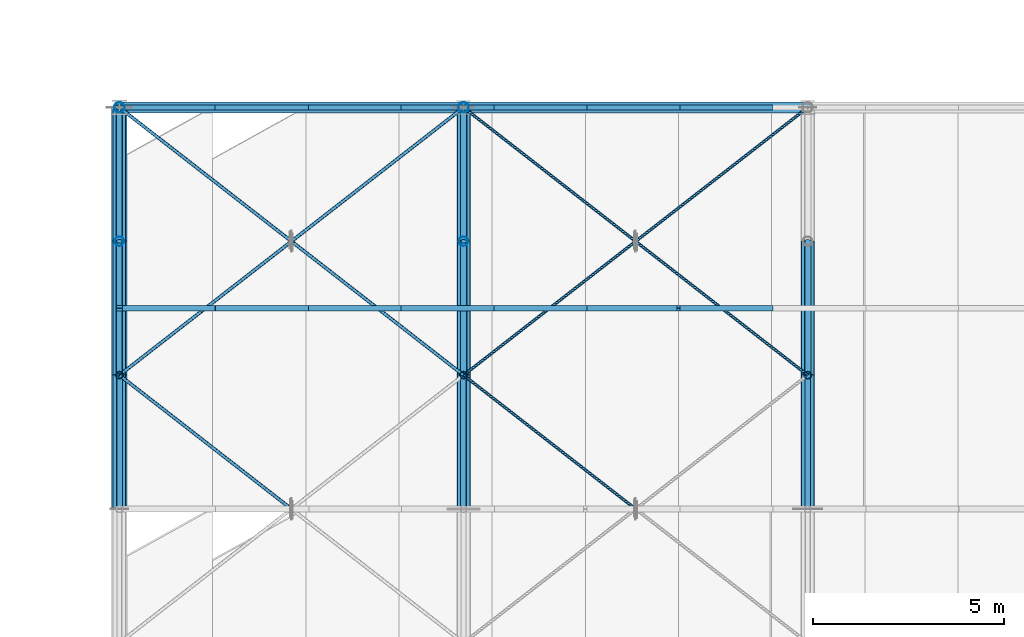
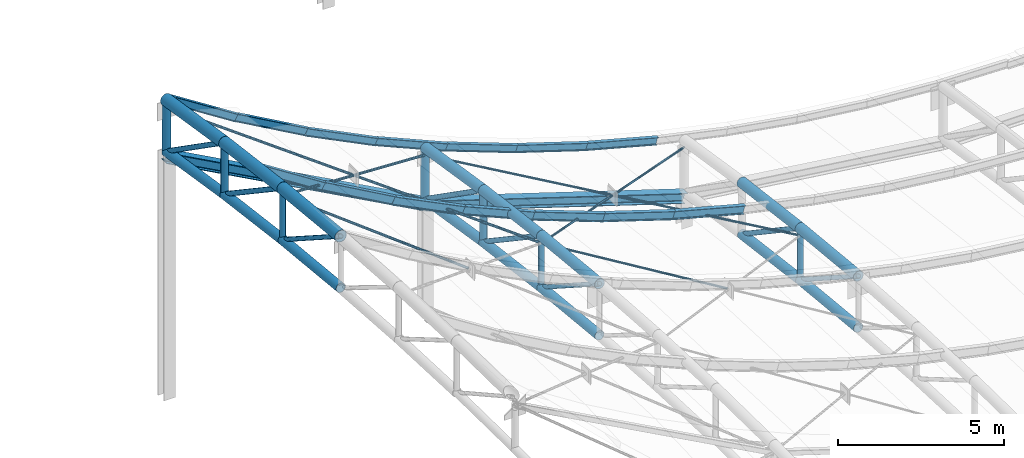
# One storey, part 38 of 262: 53 members, 2 beams.
"""IFC4 building model written with IfcOpenShell, lengths in metres."""

from ifc_helpers import new_model, si_unit, derived_unit, direction, frame, origin, origin_2d, place, context, subcontext, project, spatial, hollow_circle, i_section, extrude, material, material_profile, profile_set, type_object, element, save


model = new_model("IFC4")

# Units and contexts
model_context = context("Model", 3, precision=1e-05, world=origin(), true_north=direction((0.0, 1.0)))
body_context = subcontext(model_context, "Body", "Model", "MODEL_VIEW")
ifc_project = project(units=[si_unit("LENGTHUNIT", "METRE"), si_unit("AREAUNIT", "SQUARE_METRE"), si_unit("VOLUMEUNIT", "CUBIC_METRE"), si_unit("PLANEANGLEUNIT", "RADIAN"), si_unit("MASSUNIT", "GRAM", prefix="KILO"), derived_unit("THERMALTRANSMITTANCEUNIT", [(si_unit("POWERUNIT", "WATT"), 1), (si_unit("LENGTHUNIT", "METRE"), -2), (si_unit("THERMODYNAMICTEMPERATUREUNIT", "KELVIN"), -1)])], contexts=[model_context])

# Site, building, storey
site_placement = place(None, origin())
site = spatial("IfcSite", under=ifc_project, at=site_placement, CompositionType="ELEMENT")
building_placement = place(site_placement, origin())
building = spatial("IfcBuilding", under=site, at=building_placement, Name="Almenara Railside Exhibition Hall", CompositionType="ELEMENT")
storey_placement = place(building_placement, frame((0.0, 0.0, 21.699951171875)))
storey = spatial("IfcBuildingStorey", under=building, at=storey_placement, Name="RF", CompositionType="ELEMENT", Elevation=21.699951171875)

# Members
ifc_material = material(Name="Structural steel S355JR", Category="steel")
ifc_material_profile_1 = material_profile(ifc_material, hollow_circle(Radius=0.04443359375, WallThickness=0.00390625, at=origin_2d()), Name="CHS 88.9x4")
ifc_profile_set_1 = profile_set([ifc_material_profile_1], Name="Structural steel S355JR")
member_type_1 = type_object("IfcMemberType", Name="Canopy Tie Brace CHS 88.9x4 S355JR", PredefinedType="BRACE", material=ifc_profile_set_1)
member_1_placement = place(storey_placement, frame((3.0, 35.0, 1.6201171875), z_axis=(0.738580382597, -0.574464872917, -0.3528301691), x_axis=(0.613949579345, 0.789345243871, 0.0)))
element("IfcMember", 1, at=member_1_placement, inside=storey, type_object=member_type_1, Name="MEM-WB-V4-WB-CHS89-00-08-S1", PredefinedType="BRACE", context=body_context, shape_type="SweptSolid", body=[
    extrude(hollow_circle(Radius=0.04443359375, WallThickness=0.00390625, at=origin_2d()), origin(), (0.0, 0.0, 1.0), 6.044189453125),
])
member_2_placement = place(storey_placement, frame((3.0, 35.0, 1.6201171875), z_axis=(0.70107363428, 0.545279493329, -0.459528055152), x_axis=(-0.613940613515, 0.789352217376, 0.0)))
element("IfcMember", 2, at=member_2_placement, inside=storey, type_object=member_type_1, Name="MEM-WB-V4-WB-CHS89-00-10-C", PredefinedType="BRACE", context=body_context, shape_type="SweptSolid", body=[
    extrude(hollow_circle(Radius=0.04443359375, WallThickness=0.00390625, at=origin_2d()), origin(), (0.0, 0.0, 1.0), 12.83740234375),
])
member_3_placement = place(storey_placement, frame((3.0, 42.0, 0.6201171875), z_axis=(0.746877240759, -0.580909059332, -0.323603232405), x_axis=(0.613943602315, 0.789349892745, 0.0)))
element("IfcMember", 3, at=member_3_placement, inside=storey, type_object=member_type_1, Name="MEM-WB-V4-WB-CHS89-00-10-S1", PredefinedType="BRACE", context=body_context, shape_type="SweptSolid", body=[
    extrude(hollow_circle(Radius=0.04443359375, WallThickness=0.00390625, at=origin_2d()), origin(), (0.0, 0.0, 1.0), 5.976806640625),
])
member_4_placement = place(storey_placement, frame((7.5361328125, 38.471923828125, -1.34521484375), z_axis=(0.746887113125, -0.5809167379, -0.323566660636), x_axis=(0.613943602315, 0.789349892745, 0.0)))
element("IfcMember", 4, at=member_4_placement, inside=storey, type_object=member_type_1, Name="MEM-WB-V4-WB-CHS89-00-10-S2", PredefinedType="BRACE", context=body_context, shape_type="SweptSolid", body=[
    extrude(hollow_circle(Radius=0.04443359375, WallThickness=0.00390625, at=origin_2d()), origin(), (0.0, 0.0, 1.0), 5.9765625),
])
ifc_material_profile_2 = material_profile(ifc_material, i_section(OverallWidth=0.14990234375, OverallDepth=0.300048828125, WebThickness=0.007080078125, FlangeThickness=0.0107421875, FilletRadius=0.014892578125, at=origin_2d()), Name="IPE 300")
ifc_profile_set_2 = profile_set([ifc_material_profile_2], Name="Structural steel S355JR")
member_type_2 = type_object("IfcMemberType", Name="East Hall Ridge Purlin IPE 300 S355JR", PredefinedType="PURLIN", material=ifc_profile_set_2)
member_5_placement = place(storey_placement, frame((3.0, 36.75, 1.61181640625), z_axis=(0.842226955435, 0.0, -0.539123135785), x_axis=(0.0, 1.0, 0.0)))
element("IfcMember", 5, at=member_5_placement, inside=storey, type_object=member_type_2, Name="MEM-PR-V4-PR-IPE300-07-00", PredefinedType="PURLIN", context=body_context, shape_type="SweptSolid", body=[
    extrude(i_section(OverallWidth=0.14990234375, OverallDepth=0.300048828125, WebThickness=0.007080078125, FlangeThickness=0.0107421875, FilletRadius=0.014892578125, at=origin_2d()), origin(), (0.0, 0.0, 1.0), 2.893310546875),
])
member_6_placement = place(storey_placement, frame((5.436767578125, 36.75, 0.06494140625), z_axis=(0.870445855666, 0.0, -0.492264169277), x_axis=(0.0, 1.0, 0.0)))
element("IfcMember", 6, at=member_6_placement, inside=storey, type_object=member_type_2, Name="MEM-PR-V4-PR-IPE300-07-01", PredefinedType="PURLIN", context=body_context, shape_type="SweptSolid", body=[
    extrude(i_section(OverallWidth=0.14990234375, OverallDepth=0.300048828125, WebThickness=0.007080078125, FlangeThickness=0.0107421875, FilletRadius=0.014892578125, at=origin_2d()), origin(), (0.0, 0.0, 1.0), 2.799072265625),
])
member_7_placement = place(storey_placement, frame((7.873291015625, 36.75, -1.3193359375), z_axis=(0.895376074457, 0.0, -0.445310773831), x_axis=(0.0, 1.0, 0.0)))
element("IfcMember", 7, at=member_7_placement, inside=storey, type_object=member_type_2, Name="MEM-PR-V4-PR-IPE300-07-02", PredefinedType="PURLIN", context=body_context, shape_type="SweptSolid", body=[
    extrude(i_section(OverallWidth=0.14990234375, OverallDepth=0.300048828125, WebThickness=0.007080078125, FlangeThickness=0.0107421875, FilletRadius=0.014892578125, at=origin_2d()), origin(), (0.0, 0.0, 1.0), 2.721435546875),
])
member_8_placement = place(storey_placement, frame((10.31005859375, 36.75, -2.52197265625), z_axis=(0.917189812532, 0.0, -0.398450558775), x_axis=(0.0, 1.0, 0.0)))
element("IfcMember", 8, at=member_8_placement, inside=storey, type_object=member_type_2, Name="MEM-PR-V4-PR-IPE300-07-03", PredefinedType="PURLIN", context=body_context, shape_type="SweptSolid", body=[
    extrude(i_section(OverallWidth=0.14990234375, OverallDepth=0.300048828125, WebThickness=0.007080078125, FlangeThickness=0.0107421875, FilletRadius=0.014892578125, at=origin_2d()), origin(), (0.0, 0.0, 1.0), 2.65673828125),
])
member_9_placement = place(storey_placement, frame((12.746826171875, 36.75, -3.57275390625), z_axis=(0.936171044044, 0.0, -0.351544842508), x_axis=(0.0, 1.0, 0.0)))
element("IfcMember", 9, at=member_9_placement, inside=storey, type_object=member_type_2, Name="MEM-PR-V4-PR-IPE300-07-04", PredefinedType="PURLIN", context=body_context, shape_type="SweptSolid", body=[
    extrude(i_section(OverallWidth=0.14990234375, OverallDepth=0.300048828125, WebThickness=0.007080078125, FlangeThickness=0.0107421875, FilletRadius=0.014892578125, at=origin_2d()), origin(), (0.0, 0.0, 1.0), 2.60302734375),
])
member_10_placement = place(storey_placement, frame((15.18359375, 36.75, -4.4814453125), z_axis=(0.952440767254, 0.0, -0.304723784553), x_axis=(0.0, 1.0, 0.0)))
element("IfcMember", 10, at=member_10_placement, inside=storey, type_object=member_type_2, Name="MEM-PR-V4-PR-IPE300-07-05", PredefinedType="PURLIN", context=body_context, shape_type="SweptSolid", body=[
    extrude(i_section(OverallWidth=0.14990234375, OverallDepth=0.300048828125, WebThickness=0.007080078125, FlangeThickness=0.0107421875, FilletRadius=0.014892578125, at=origin_2d()), origin(), (0.0, 0.0, 1.0), 2.55810546875),
])
member_11_placement = place(storey_placement, frame((17.6201171875, 36.75, -5.255859375), z_axis=(0.966201190487, 0.0, -0.257789176462), x_axis=(0.0, 1.0, 0.0)))
element("IfcMember", 11, at=member_11_placement, inside=storey, type_object=member_type_2, Name="MEM-PR-V4-PR-IPE300-07-06", PredefinedType="PURLIN", context=body_context, shape_type="SweptSolid", body=[
    extrude(i_section(OverallWidth=0.14990234375, OverallDepth=0.300048828125, WebThickness=0.007080078125, FlangeThickness=0.0107421875, FilletRadius=0.014892578125, at=origin_2d()), origin(), (0.0, 0.0, 1.0), 2.52197265625),
])
ifc_material_profile_3 = material_profile(ifc_material, i_section(OverallWidth=0.135009765625, OverallDepth=0.27001953125, WebThickness=0.006591796875, FlangeThickness=0.01025390625, FilletRadius=0.014892578125, at=origin_2d()), Name="IPE 270")
ifc_profile_set_3 = profile_set([ifc_material_profile_3], Name="Structural steel S355JR")
member_type_3 = type_object("IfcMemberType", Name="East Hall Standard Purlin IPE 270 S355JR", PredefinedType="PURLIN", material=ifc_profile_set_3)
member_12_placement = place(storey_placement, frame((3.0, 42.0, 0.951904296875), z_axis=(0.842226955435, 0.0, -0.539123135785), x_axis=(0.0, 1.0, 0.0)))
element("IfcMember", 12, at=member_12_placement, inside=storey, type_object=member_type_3, Name="MEM-PR-V4-PR-IPE270-08-00", PredefinedType="PURLIN", context=body_context, shape_type="SweptSolid", body=[
    extrude(i_section(OverallWidth=0.135009765625, OverallDepth=0.27001953125, WebThickness=0.006591796875, FlangeThickness=0.01025390625, FilletRadius=0.014892578125, at=origin_2d()), origin(), (0.0, 0.0, 1.0), 2.893310546875),
])
member_13_placement = place(storey_placement, frame((5.436767578125, 42.0, -0.595458984375), z_axis=(0.870445855666, 0.0, -0.492264169277), x_axis=(0.0, 1.0, 0.0)))
element("IfcMember", 13, at=member_13_placement, inside=storey, type_object=member_type_3, Name="MEM-PR-V4-PR-IPE270-08-01", PredefinedType="PURLIN", context=body_context, shape_type="SweptSolid", body=[
    extrude(i_section(OverallWidth=0.135009765625, OverallDepth=0.27001953125, WebThickness=0.006591796875, FlangeThickness=0.01025390625, FilletRadius=0.014892578125, at=origin_2d()), origin(), (0.0, 0.0, 1.0), 2.799072265625),
])
member_14_placement = place(storey_placement, frame((7.873291015625, 42.0, -1.980224609375), z_axis=(0.895376074457, 0.0, -0.445310773831), x_axis=(0.0, 1.0, 0.0)))
element("IfcMember", 14, at=member_14_placement, inside=storey, type_object=member_type_3, Name="MEM-PR-V4-PR-IPE270-08-02", PredefinedType="PURLIN", context=body_context, shape_type="SweptSolid", body=[
    extrude(i_section(OverallWidth=0.135009765625, OverallDepth=0.27001953125, WebThickness=0.006591796875, FlangeThickness=0.01025390625, FilletRadius=0.014892578125, at=origin_2d()), origin(), (0.0, 0.0, 1.0), 2.721435546875),
])
member_15_placement = place(storey_placement, frame((10.31005859375, 42.0, -3.183349609375), z_axis=(0.917189812532, 0.0, -0.398450558775), x_axis=(0.0, 1.0, 0.0)))
element("IfcMember", 15, at=member_15_placement, inside=storey, type_object=member_type_3, Name="MEM-PR-V4-PR-IPE270-08-03", PredefinedType="PURLIN", context=body_context, shape_type="SweptSolid", body=[
    extrude(i_section(OverallWidth=0.135009765625, OverallDepth=0.27001953125, WebThickness=0.006591796875, FlangeThickness=0.01025390625, FilletRadius=0.014892578125, at=origin_2d()), origin(), (0.0, 0.0, 1.0), 2.65673828125),
])
member_16_placement = place(storey_placement, frame((12.746826171875, 42.0, -4.234375), z_axis=(0.936171044044, 0.0, -0.351544842508), x_axis=(0.0, 1.0, 0.0)))
element("IfcMember", 16, at=member_16_placement, inside=storey, type_object=member_type_3, Name="MEM-PR-V4-PR-IPE270-08-04", PredefinedType="PURLIN", context=body_context, shape_type="SweptSolid", body=[
    extrude(i_section(OverallWidth=0.135009765625, OverallDepth=0.27001953125, WebThickness=0.006591796875, FlangeThickness=0.01025390625, FilletRadius=0.014892578125, at=origin_2d()), origin(), (0.0, 0.0, 1.0), 2.60302734375),
])
member_17_placement = place(storey_placement, frame((15.18359375, 42.0, -5.1435546875), z_axis=(0.952468462339, 0.0, -0.304637207594), x_axis=(0.0, 1.0, 0.0)))
element("IfcMember", 17, at=member_17_placement, inside=storey, type_object=member_type_3, Name="MEM-PR-V4-PR-IPE270-08-05", PredefinedType="PURLIN", context=body_context, shape_type="SweptSolid", body=[
    extrude(i_section(OverallWidth=0.135009765625, OverallDepth=0.27001953125, WebThickness=0.006591796875, FlangeThickness=0.01025390625, FilletRadius=0.014892578125, at=origin_2d()), origin(), (0.0, 0.0, 1.0), 2.55810546875),
])
member_18_placement = place(storey_placement, frame((17.6201171875, 42.0, -5.91796875), z_axis=(0.966201190487, 0.0, -0.257789176462), x_axis=(0.0, 1.0, 0.0)))
element("IfcMember", 18, at=member_18_placement, inside=storey, type_object=member_type_3, Name="MEM-PR-V4-PR-IPE270-08-06", PredefinedType="PURLIN", context=body_context, shape_type="SweptSolid", body=[
    extrude(i_section(OverallWidth=0.135009765625, OverallDepth=0.27001953125, WebThickness=0.006591796875, FlangeThickness=0.01025390625, FilletRadius=0.014892578125, at=origin_2d()), origin(), (0.0, 0.0, 1.0), 2.52197265625),
])
ifc_material_profile_4 = material_profile(ifc_material, hollow_circle(Radius=0.0380859375, WallThickness=0.003662109375, at=origin_2d()), Name="CHS 76.1x3.6")
ifc_profile_set_4 = profile_set([ifc_material_profile_4], Name="Structural steel S355JR")
member_type_4 = type_object("IfcMemberType", Name="Lantern Cross-Tie Brace CHS 76.1x3.6 S355JR", PredefinedType="BRACE", material=ifc_profile_set_4)
member_19_placement = place(storey_placement, frame((12.0, 35.0, -3.279052734375), z_axis=(0.774135854289, -0.602115066031, -0.195374323702), x_axis=(0.613946586515, 0.789347571673, 0.0)))
element("IfcMember", 19, at=member_19_placement, inside=storey, type_object=member_type_4, Name="MEM-WB-V4-WB-CHS76-01-08-S1", PredefinedType="BRACE", context=body_context, shape_type="SweptSolid", body=[
    extrude(hollow_circle(Radius=0.0380859375, WallThickness=0.003662109375, at=origin_2d()), origin(), (0.0, 0.0, 1.0), 5.770751953125),
])
member_20_placement = place(storey_placement, frame((12.0, 35.0, -3.279052734375), z_axis=(0.747437290309, 0.581340114685, -0.321529420294), x_axis=(-0.613940613515, 0.789352217376, 0.0)))
element("IfcMember", 20, at=member_20_placement, inside=storey, type_object=member_type_4, Name="MEM-WB-V4-WB-CHS76-01-10-C", PredefinedType="BRACE", context=body_context, shape_type="SweptSolid", body=[
    extrude(hollow_circle(Radius=0.0380859375, WallThickness=0.003662109375, at=origin_2d()), origin(), (0.0, 0.0, 1.0), 12.041259765625),
])
member_21_placement = place(storey_placement, frame((12.0, 42.0, -4.279052734375), z_axis=(0.778924212359, -0.605839402683, -0.161974348455), x_axis=(0.613946586515, 0.789347571673, 0.0)))
element("IfcMember", 21, at=member_21_placement, inside=storey, type_object=member_type_4, Name="MEM-WB-V4-WB-CHS76-01-10-S1", PredefinedType="BRACE", context=body_context, shape_type="SweptSolid", body=[
    extrude(hollow_circle(Radius=0.0380859375, WallThickness=0.003662109375, at=origin_2d()), origin(), (0.0, 0.0, 1.0), 5.735107421875),
])
member_22_placement = place(storey_placement, frame((16.53271484375, 38.474609375, -5.221435546875), z_axis=(0.778918840983, -0.605835224881, -0.162015800021), x_axis=(0.613946586515, 0.789347571673, 0.0)))
element("IfcMember", 22, at=member_22_placement, inside=storey, type_object=member_type_4, Name="MEM-WB-V4-WB-CHS76-01-10-S2", PredefinedType="BRACE", context=body_context, shape_type="SweptSolid", body=[
    extrude(hollow_circle(Radius=0.0380859375, WallThickness=0.003662109375, at=origin_2d()), origin(), (0.0, 0.0, 1.0), 5.7353515625),
])
ifc_material_profile_5 = material_profile(ifc_material, hollow_circle(Radius=0.203125, WallThickness=0.012451171875, at=origin_2d()), Name="CHS 406.4x12.5")
ifc_profile_set_5 = profile_set([ifc_material_profile_5], Name="Structural steel S355JR")
member_type_5 = type_object("IfcMemberType", Name="Plenary Gable Top Chord CHS 406.4x12.5 S355JR", PredefinedType="CHORD", material=ifc_profile_set_5)
member_23_placement = place(storey_placement, frame((3.0, 31.5, 2.25), z_axis=(0.0, 0.995041312637, -0.09946248612), x_axis=(-1.0, 0.0, 0.0)))
element("IfcMember", 23, at=member_23_placement, inside=storey, type_object=member_type_5, Name="MEM-TC-V4-00-09", PredefinedType="CHORD", context=body_context, shape_type="SweptSolid", body=[
    extrude(hollow_circle(Radius=0.203125, WallThickness=0.012451171875, at=origin_2d()), origin(), (0.0, 0.0, 1.0), 3.517333984375),
])
member_24_placement = place(storey_placement, frame((3.0, 35.0, 1.900146484375), z_axis=(0.0, 0.991828773415, -0.127576189884), x_axis=(-1.0, 0.0, 0.0)))
element("IfcMember", 24, at=member_24_placement, inside=storey, type_object=member_type_5, Name="MEM-TC-V4-00-10", PredefinedType="CHORD", context=body_context, shape_type="SweptSolid", body=[
    extrude(hollow_circle(Radius=0.203125, WallThickness=0.012451171875, at=origin_2d()), origin(), (0.0, 0.0, 1.0), 3.52880859375),
])
member_25_placement = place(storey_placement, frame((3.0, 38.5, 1.449951171875), z_axis=(0.0, 0.987885578074, -0.155184034725), x_axis=(-1.0, 0.0, 0.0)))
element("IfcMember", 25, at=member_25_placement, inside=storey, type_object=member_type_5, Name="MEM-TC-V4-00-11", PredefinedType="CHORD", context=body_context, shape_type="SweptSolid", body=[
    extrude(hollow_circle(Radius=0.203125, WallThickness=0.012451171875, at=origin_2d()), origin(), (0.0, 0.0, 1.0), 3.54296875),
])
ifc_material_profile_6 = material_profile(ifc_material, hollow_circle(Radius=0.161865234375, WallThickness=0.010009765625, at=origin_2d()), Name="CHS 323.9x10")
ifc_profile_set_6 = profile_set([ifc_material_profile_6], Name="Structural steel S355JR")
member_type_6 = type_object("IfcMemberType", Name="Plenary Truss Bottom Chord CHS 323.9x10 S355JR", PredefinedType="CHORD", material=ifc_profile_set_6)
member_26_placement = place(storey_placement, frame((3.0, 31.5, 0.35009765625), z_axis=(0.0, 0.995034440995, -0.099531207337), x_axis=(-1.0, 0.0, 0.0)))
element("IfcMember", 26, at=member_26_placement, inside=storey, type_object=member_type_6, Name="MEM-BC-V4-00-09", PredefinedType="CHORD", context=body_context, shape_type="SweptSolid", body=[
    extrude(hollow_circle(Radius=0.161865234375, WallThickness=0.010009765625, at=origin_2d()), origin(), (0.0, 0.0, 1.0), 3.517578125),
])
member_27_placement = place(storey_placement, frame((3.0, 35.0, 0.0), z_axis=(0.0, 0.991837525329, -0.127508130523), x_axis=(-1.0, 0.0, 0.0)))
element("IfcMember", 27, at=member_27_placement, inside=storey, type_object=member_type_6, Name="MEM-BC-V4-00-10", PredefinedType="CHORD", context=body_context, shape_type="SweptSolid", body=[
    extrude(hollow_circle(Radius=0.161865234375, WallThickness=0.010009765625, at=origin_2d()), origin(), (0.0, 0.0, 1.0), 3.52880859375),
])
member_28_placement = place(storey_placement, frame((3.0, 38.5, -0.449951171875), z_axis=(0.0, 0.987875011802, -0.155251283593), x_axis=(-1.0, 0.0, 0.0)))
element("IfcMember", 28, at=member_28_placement, inside=storey, type_object=member_type_6, Name="MEM-BC-V4-00-11", PredefinedType="CHORD", context=body_context, shape_type="SweptSolid", body=[
    extrude(hollow_circle(Radius=0.161865234375, WallThickness=0.010009765625, at=origin_2d()), origin(), (0.0, 0.0, 1.0), 3.54296875),
])
member_29_placement = place(storey_placement, frame((12.0, 31.5, -4.549072265625), z_axis=(0.0, 0.995034440995, -0.099531207337), x_axis=(-1.0, 0.0, 0.0)))
element("IfcMember", 29, at=member_29_placement, inside=storey, type_object=member_type_6, Name="MEM-BC-V4-01-09", PredefinedType="CHORD", context=body_context, shape_type="SweptSolid", body=[
    extrude(hollow_circle(Radius=0.161865234375, WallThickness=0.010009765625, at=origin_2d()), origin(), (0.0, 0.0, 1.0), 3.517578125),
])
member_30_placement = place(storey_placement, frame((12.0, 35.0, -4.899169921875), z_axis=(0.0, 0.991837525329, -0.127508130523), x_axis=(-1.0, 0.0, 0.0)))
element("IfcMember", 30, at=member_30_placement, inside=storey, type_object=member_type_6, Name="MEM-BC-V4-01-10", PredefinedType="CHORD", context=body_context, shape_type="SweptSolid", body=[
    extrude(hollow_circle(Radius=0.161865234375, WallThickness=0.010009765625, at=origin_2d()), origin(), (0.0, 0.0, 1.0), 3.52880859375),
])
member_31_placement = place(storey_placement, frame((12.0, 38.5, -5.34912109375), z_axis=(0.0, 0.987875011802, -0.155251283593), x_axis=(-1.0, 0.0, 0.0)))
element("IfcMember", 31, at=member_31_placement, inside=storey, type_object=member_type_6, Name="MEM-BC-V4-01-11", PredefinedType="CHORD", context=body_context, shape_type="SweptSolid", body=[
    extrude(hollow_circle(Radius=0.161865234375, WallThickness=0.010009765625, at=origin_2d()), origin(), (0.0, 0.0, 1.0), 3.54296875),
])
member_32_placement = place(storey_placement, frame((21.0, 31.5, -7.420654296875), z_axis=(0.0, 0.995041312637, -0.09946248612), x_axis=(-1.0, 0.0, 0.0)))
element("IfcMember", 32, at=member_32_placement, inside=storey, type_object=member_type_6, Name="MEM-BC-V4-02-09", PredefinedType="CHORD", context=body_context, shape_type="SweptSolid", body=[
    extrude(hollow_circle(Radius=0.161865234375, WallThickness=0.010009765625, at=origin_2d()), origin(), (0.0, 0.0, 1.0), 3.517333984375),
])
member_33_placement = place(storey_placement, frame((21.0, 35.0, -7.7705078125), z_axis=(0.0, 0.991837525329, -0.127508130523), x_axis=(-1.0, 0.0, 0.0)))
element("IfcMember", 33, at=member_33_placement, inside=storey, type_object=member_type_6, Name="MEM-BC-V4-02-10", PredefinedType="CHORD", context=body_context, shape_type="SweptSolid", body=[
    extrude(hollow_circle(Radius=0.161865234375, WallThickness=0.010009765625, at=origin_2d()), origin(), (0.0, 0.0, 1.0), 3.52880859375),
])
ifc_material_profile_7 = material_profile(ifc_material, hollow_circle(Radius=0.177734375, WallThickness=0.012451171875, at=origin_2d()), Name="CHS 355.6x12.5")
ifc_profile_set_7 = profile_set([ifc_material_profile_7], Name="Structural steel S355JR")
member_type_7 = type_object("IfcMemberType", Name="Plenary Truss Top Chord CHS 355.6x12.5 S355JR", PredefinedType="CHORD", material=ifc_profile_set_7)
member_34_placement = place(storey_placement, frame((12.0, 31.5, -2.649169921875), z_axis=(0.0, 0.995041312637, -0.09946248612), x_axis=(-1.0, 0.0, 0.0)))
element("IfcMember", 34, at=member_34_placement, inside=storey, type_object=member_type_7, Name="MEM-TC-V4-01-09", PredefinedType="CHORD", context=body_context, shape_type="SweptSolid", body=[
    extrude(hollow_circle(Radius=0.177734375, WallThickness=0.012451171875, at=origin_2d()), origin(), (0.0, 0.0, 1.0), 3.517333984375),
])
member_35_placement = place(storey_placement, frame((12.0, 35.0, -2.9990234375), z_axis=(0.0, 0.991837525329, -0.127508130523), x_axis=(-1.0, 0.0, 0.0)))
element("IfcMember", 35, at=member_35_placement, inside=storey, type_object=member_type_7, Name="MEM-TC-V4-01-10", PredefinedType="CHORD", context=body_context, shape_type="SweptSolid", body=[
    extrude(hollow_circle(Radius=0.177734375, WallThickness=0.012451171875, at=origin_2d()), origin(), (0.0, 0.0, 1.0), 3.52880859375),
])
member_36_placement = place(storey_placement, frame((12.0, 38.5, -3.448974609375), z_axis=(0.0, 0.987875011802, -0.155251283593), x_axis=(-1.0, 0.0, 0.0)))
element("IfcMember", 36, at=member_36_placement, inside=storey, type_object=member_type_7, Name="MEM-TC-V4-01-11", PredefinedType="CHORD", context=body_context, shape_type="SweptSolid", body=[
    extrude(hollow_circle(Radius=0.177734375, WallThickness=0.012451171875, at=origin_2d()), origin(), (0.0, 0.0, 1.0), 3.54296875),
])
member_37_placement = place(storey_placement, frame((21.0, 31.5, -5.5205078125), z_axis=(0.0, 0.995034440995, -0.099531207337), x_axis=(-1.0, 0.0, 0.0)))
element("IfcMember", 37, at=member_37_placement, inside=storey, type_object=member_type_7, Name="MEM-TC-V4-02-09", PredefinedType="CHORD", context=body_context, shape_type="SweptSolid", body=[
    extrude(hollow_circle(Radius=0.177734375, WallThickness=0.012451171875, at=origin_2d()), origin(), (0.0, 0.0, 1.0), 3.517578125),
])
member_38_placement = place(storey_placement, frame((21.0, 35.0, -5.87060546875), z_axis=(0.0, 0.991837525329, -0.127508130523), x_axis=(-1.0, 0.0, 0.0)))
element("IfcMember", 38, at=member_38_placement, inside=storey, type_object=member_type_7, Name="MEM-TC-V4-02-10", PredefinedType="CHORD", context=body_context, shape_type="SweptSolid", body=[
    extrude(hollow_circle(Radius=0.177734375, WallThickness=0.012451171875, at=origin_2d()), origin(), (0.0, 0.0, 1.0), 3.52880859375),
])

# Beams
ifc_material_profile_8 = material_profile(ifc_material, i_section(OverallWidth=0.300048828125, OverallDepth=0.360107421875, WebThickness=0.012451171875, FlangeThickness=0.0224609375, FilletRadius=0.027099609375, at=origin_2d()), Name="HEB 360")
ifc_profile_set_8 = profile_set([ifc_material_profile_8], Name="Structural steel S355JR")
beam_type = type_object("IfcBeamType", Name="Steel Portal Girder HEB 360 S355JR", PredefinedType="USERDEFINED", material=ifc_profile_set_8)
beam_1_placement = place(storey_placement, frame((3.0, 42.0, -1.179931640625), z_axis=(0.878302261666, 0.0, -0.478105780296), x_axis=(0.0, 1.0, 0.0)))
element("IfcBeam", 39, at=beam_1_placement, inside=storey, type_object=beam_type, Name="Beam 0990", ObjectType="GIRDER", PredefinedType="USERDEFINED", context=body_context, shape_type="SweptSolid", body=[
    extrude(i_section(OverallWidth=0.300048828125, OverallDepth=0.360107421875, WebThickness=0.012451171875, FlangeThickness=0.0224609375, FilletRadius=0.027099609375, at=origin_2d()), origin(), (0.0, 0.0, 1.0), 10.2470703125),
])
beam_2_placement = place(storey_placement, frame((12.0, 42.0, -6.0791015625), z_axis=(0.952689944457, 0.0, -0.303943859504), x_axis=(0.0, 1.0, 0.0)))
element("IfcBeam", 40, at=beam_2_placement, inside=storey, type_object=beam_type, Name="Beam 0992", ObjectType="GIRDER", PredefinedType="USERDEFINED", context=body_context, shape_type="SweptSolid", body=[
    extrude(i_section(OverallWidth=0.300048828125, OverallDepth=0.360107421875, WebThickness=0.012451171875, FlangeThickness=0.0224609375, FilletRadius=0.027099609375, at=origin_2d()), origin(), (0.0, 0.0, 1.0), 9.447021484375),
])

# Members
ifc_material_profile_9 = material_profile(ifc_material, hollow_circle(Radius=0.084228515625, WallThickness=0.006103515625, at=origin_2d()), Name="CHS 168.3x6")
ifc_profile_set_9 = profile_set([ifc_material_profile_9], Name="Structural steel S355JR")
member_type_8 = type_object("IfcMemberType", Name="Truss End Diagonal CHS 168.3x6 S355JR", PredefinedType="BRACE", material=ifc_profile_set_9)
member_39_placement = place(storey_placement, frame((3.0, 35.0, 1.900146484375), z_axis=(0.0, 0.830210410422, -0.557450154208), x_axis=(-1.0, 0.0, 0.0)))
element("IfcMember", 41, at=member_39_placement, inside=storey, type_object=member_type_8, Name="MEM-TD-V4-00-10", PredefinedType="BRACE", context=body_context, shape_type="SweptSolid", body=[
    extrude(hollow_circle(Radius=0.084228515625, WallThickness=0.006103515625, at=origin_2d()), origin(), (0.0, 0.0, 1.0), 4.2158203125),
])
member_40_placement = place(storey_placement, frame((3.0, 38.5, 1.449951171875), z_axis=(0.0, 0.819237289855, -0.573454673807), x_axis=(-1.0, 0.0, 0.0)))
element("IfcMember", 42, at=member_40_placement, inside=storey, type_object=member_type_8, Name="MEM-TD-V4-00-11", PredefinedType="BRACE", context=body_context, shape_type="SweptSolid", body=[
    extrude(hollow_circle(Radius=0.084228515625, WallThickness=0.006103515625, at=origin_2d()), origin(), (0.0, 0.0, 1.0), 4.272216796875),
])
member_41_placement = place(storey_placement, frame((12.0, 35.0, -2.9990234375), z_axis=(0.0, 0.830210410422, -0.557450154208), x_axis=(-1.0, 0.0, 0.0)))
element("IfcMember", 43, at=member_41_placement, inside=storey, type_object=member_type_8, Name="MEM-TD-V4-01-10", PredefinedType="BRACE", context=body_context, shape_type="SweptSolid", body=[
    extrude(hollow_circle(Radius=0.084228515625, WallThickness=0.006103515625, at=origin_2d()), origin(), (0.0, 0.0, 1.0), 4.2158203125),
])
member_42_placement = place(storey_placement, frame((12.0, 38.5, -3.448974609375), z_axis=(0.0, 0.819210443161, -0.573493025081), x_axis=(-1.0, 0.0, 0.0)))
element("IfcMember", 44, at=member_42_placement, inside=storey, type_object=member_type_8, Name="MEM-TD-V4-01-11", PredefinedType="BRACE", context=body_context, shape_type="SweptSolid", body=[
    extrude(hollow_circle(Radius=0.084228515625, WallThickness=0.006103515625, at=origin_2d()), origin(), (0.0, 0.0, 1.0), 4.2724609375),
])
member_43_placement = place(storey_placement, frame((21.0, 35.0, -5.87060546875), z_axis=(0.0, 0.830237211538, -0.557410237238), x_axis=(-1.0, 0.0, 0.0)))
element("IfcMember", 45, at=member_43_placement, inside=storey, type_object=member_type_8, Name="MEM-TD-V4-02-10", PredefinedType="BRACE", context=body_context, shape_type="SweptSolid", body=[
    extrude(hollow_circle(Radius=0.084228515625, WallThickness=0.006103515625, at=origin_2d()), origin(), (0.0, 0.0, 1.0), 4.215576171875),
])
ifc_material_profile_10 = material_profile(ifc_material, hollow_circle(Radius=0.122314453125, WallThickness=0.008056640625, at=origin_2d()), Name="CHS 244.5x8")
ifc_profile_set_10 = profile_set([ifc_material_profile_10], Name="Structural steel S355JR")
member_type_9 = type_object("IfcMemberType", Name="Truss Haunch Vertical Strut CHS 244.5x8 S355JR", PredefinedType="BRACE", material=ifc_profile_set_10)
member_44_placement = place(storey_placement, frame((3.0, 38.5, -0.449951171875), z_axis=(0.0, 0.0, 1.0), x_axis=(1.0, 0.0, 0.0)))
element("IfcMember", 46, at=member_44_placement, inside=storey, type_object=member_type_9, Name="MEM-TV-V4-00-11", PredefinedType="BRACE", context=body_context, shape_type="SweptSolid", body=[
    extrude(hollow_circle(Radius=0.122314453125, WallThickness=0.008056640625, at=origin_2d()), origin(), (0.0, 0.0, 1.0), 1.89990234375),
])
member_45_placement = place(storey_placement, frame((12.0, 38.5, -5.34912109375), z_axis=(0.0, 0.0, 1.0), x_axis=(1.0, 0.0, 0.0)))
element("IfcMember", 47, at=member_45_placement, inside=storey, type_object=member_type_9, Name="MEM-TV-V4-01-11", PredefinedType="BRACE", context=body_context, shape_type="SweptSolid", body=[
    extrude(hollow_circle(Radius=0.122314453125, WallThickness=0.008056640625, at=origin_2d()), origin(), (0.0, 0.0, 1.0), 1.900146484375),
])
ifc_material_profile_11 = material_profile(ifc_material, hollow_circle(Radius=0.076171875, WallThickness=0.0048828125, at=origin_2d()), Name="CHS 152.4x5")
ifc_profile_set_11 = profile_set([ifc_material_profile_11], Name="Structural steel S355JR")
member_type_10 = type_object("IfcMemberType", Name="Truss Mid Diagonal CHS 152.4x5 S355JR", PredefinedType="BRACE", material=ifc_profile_set_11)
for number, where, z_axis, x_axis, name in (
    (48, (3.0, 31.5, 2.25), (0.0, 0.841178475377, -0.540757591313), (-1.0, 0.0, 0.0), "MEM-TD-V4-00-09"),
    (49, (12.0, 31.5, -2.649169921875), (0.0, 0.841178475377, -0.540757591313), (-1.0, 0.0, 0.0), "MEM-TD-V4-01-09"),
    (50, (21.0, 31.5, -5.5205078125), (0.0, 0.841178475377, -0.540757591313), (-1.0, 0.0, 0.0), "MEM-TD-V4-02-09"),
):
    element("IfcMember", number, at=place(storey_placement, frame(where, z_axis=z_axis, x_axis=x_axis)), inside=storey, type_object=member_type_10, Name=name, PredefinedType="BRACE", context=body_context, shape_type="SweptSolid", body=[
        extrude(hollow_circle(Radius=0.076171875, WallThickness=0.0048828125, at=origin_2d()), origin(), (0.0, 0.0, 1.0), 4.160888671875),
    ])
ifc_material_profile_12 = material_profile(ifc_material, hollow_circle(Radius=0.096923828125, WallThickness=0.00634765625, at=origin_2d()), Name="CHS 193.7x6.3")
ifc_profile_set_12 = profile_set([ifc_material_profile_12], Name="Structural steel S355JR")
member_type_11 = type_object("IfcMemberType", Name="Truss Standard Vertical Strut CHS 193.7x6.3 S355JR", PredefinedType="BRACE", material=ifc_profile_set_12)
for number, where, z_axis, x_axis, name in (
    (51, (3.0, 35.0, 0.0), (0.0, 0.0, 1.0), (1.0, 0.0, 0.0), "MEM-TV-V4-00-10"),
    (52, (12.0, 35.0, -4.899169921875), (0.0, 0.0, 1.0), (1.0, 0.0, 0.0), "MEM-TV-V4-01-10"),
):
    element("IfcMember", number, at=place(storey_placement, frame(where, z_axis=z_axis, x_axis=x_axis)), inside=storey, type_object=member_type_11, Name=name, PredefinedType="BRACE", context=body_context, shape_type="SweptSolid", body=[
        extrude(hollow_circle(Radius=0.096923828125, WallThickness=0.00634765625, at=origin_2d()), origin(), (0.0, 0.0, 1.0), 1.900146484375),
    ])
member_46_placement = place(storey_placement, frame((21.0, 35.0, -7.7705078125), z_axis=(0.0, 0.0, 1.0), x_axis=(1.0, 0.0, 0.0)))
element("IfcMember", 53, at=member_46_placement, inside=storey, type_object=member_type_11, Name="MEM-TV-V4-02-10", PredefinedType="BRACE", context=body_context, shape_type="SweptSolid", body=[
    extrude(hollow_circle(Radius=0.096923828125, WallThickness=0.00634765625, at=origin_2d()), origin(), (0.0, 0.0, 1.0), 1.89990234375),
])
ifc_material_profile_13 = material_profile(ifc_material, hollow_circle(Radius=0.136474609375, WallThickness=0.008056640625, at=origin_2d()), Name="CHS 273x8")
ifc_profile_set_13 = profile_set([ifc_material_profile_13], Name="Structural steel S355JR")
member_type_12 = type_object("IfcMemberType", Name="Truss Support Vertical Strut CHS 273x8 S355JR", PredefinedType="BRACE", material=ifc_profile_set_13)
for number, where, z_axis, x_axis, name in (
    (54, (3.0, 42.0, -1.0), (0.0, 0.0, 1.0), (1.0, 0.0, 0.0), "MEM-TV-V4-00-12"),
    (55, (12.0, 42.0, -5.899169921875), (0.0, 0.0, 1.0), (1.0, 0.0, 0.0), "MEM-TV-V4-01-12"),
):
    element("IfcMember", number, at=place(storey_placement, frame(where, z_axis=z_axis, x_axis=x_axis)), inside=storey, type_object=member_type_12, Name=name, PredefinedType="BRACE", context=body_context, shape_type="SweptSolid", body=[
        extrude(hollow_circle(Radius=0.136474609375, WallThickness=0.008056640625, at=origin_2d()), origin(), (0.0, 0.0, 1.0), 1.900146484375),
    ])

save(model, "model.ifc")
